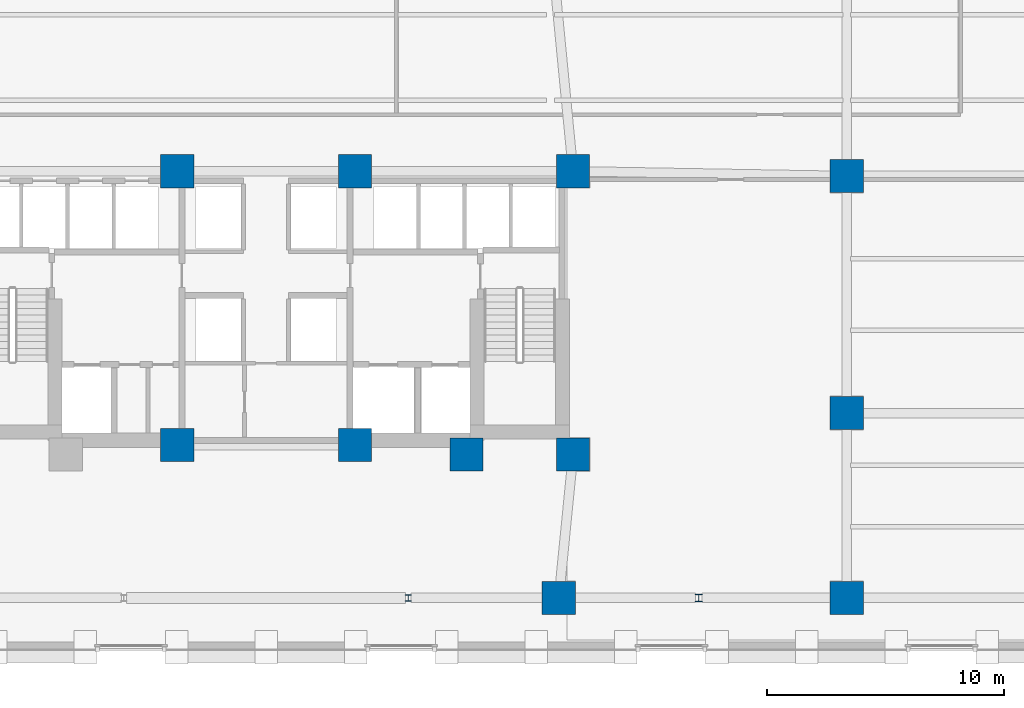
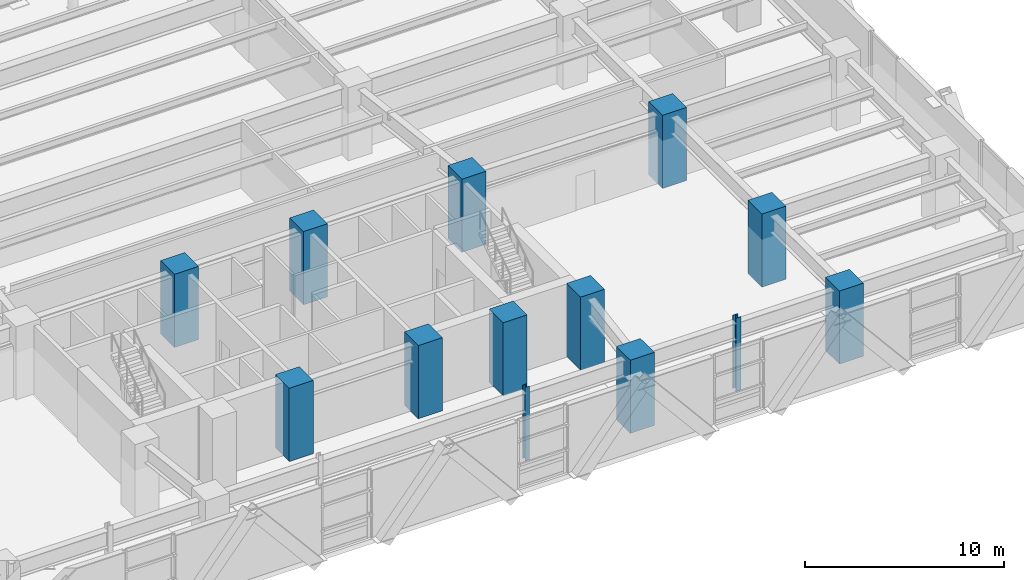
# One storey, part 3 of 26: 13 columns.
"""IFC4 building model written with IfcOpenShell, lengths in metres."""

from ifc_helpers import new_model, si_unit, direction, frame, origin, origin_2d, place, context, subcontext, project, spatial, rectangle, i_section, extrude, material, material_profile, profile_set, type_object, element, save


model = new_model("IFC4")

# Units and contexts
model_context = context("Model", 3, precision=1e-05, world=origin(), true_north=direction((0.0, 1.0)))
body_context = subcontext(model_context, "Body", "Model", "MODEL_VIEW")
ifc_project = project(units=[si_unit("LENGTHUNIT", "METRE"), si_unit("AREAUNIT", "SQUARE_METRE"), si_unit("VOLUMEUNIT", "CUBIC_METRE"), si_unit("PLANEANGLEUNIT", "RADIAN"), si_unit("MASSUNIT", "GRAM", prefix="KILO")], contexts=[model_context])

# Site, building, storey
site_placement = place(None, origin())
site = spatial("IfcSite", under=ifc_project, at=site_placement, CompositionType="ELEMENT")
building_placement = place(site_placement, origin())
building = spatial("IfcBuilding", under=site, at=building_placement, Name="Quenlor Broadcast Tower", CompositionType="ELEMENT")
storey_placement = place(building_placement, frame((0.0, 0.0, 14.0)))
storey = spatial("IfcBuildingStorey", under=building, at=storey_placement, Name="L03", CompositionType="ELEMENT", Elevation=14.0)

# Columns
ifc_material_1 = material(Name="Concrete C65/80", Category="concrete")
ifc_material_profile_1 = material_profile(ifc_material_1, rectangle(XDim=1.39990234375, YDim=1.39990234375, at=origin_2d()))
ifc_profile_set_1 = profile_set([ifc_material_profile_1], Name="Concrete C65/80 RC1400x1400")
column_type_1 = type_object("IfcColumnType", Name="Core Corner Column Lower Concrete C65/80 1400", PredefinedType="COLUMN", material=ifc_profile_set_1)
for number, where, z_axis, x_axis, name in (
    (1, (-3.75, -16.35009765625, 0.0), (0.0, 0.0, 1.0), (1.0, 0.0, 0.0), "L03 Core Column CC3"),
    (2, (3.75, -16.35009765625, 0.0), (0.0, 0.0, 1.0), (1.0, 0.0, 0.0), "L03 Core Column CC4"),
    (3, (8.449951171875, -16.75, 0.0), (0.0, 0.0, 1.0), (1.0, 0.0, 0.0), "L03 Core Column CC5"),
    (4, (12.949951171875, -16.75, 0.0), (0.0, 0.0, 1.0), (1.0, 0.0, 0.0), "L03 Core Column CC6"),
    (5, (-3.75, -4.800048828125, 0.0), (0.0, 0.0, 1.0), (1.0, 0.0, 0.0), "L03 Core Column CC8"),
    (6, (3.75, -4.800048828125, 0.0), (0.0, 0.0, 1.0), (1.0, 0.0, 0.0), "L03 Core Column CC9"),
    (7, (12.949951171875, -4.800048828125, 0.0), (0.0, 0.0, 1.0), (1.0, 0.0, 0.0), "L03 Core Column CC10"),
):
    element("IfcColumn", number, at=place(storey_placement, frame(where, z_axis=z_axis, x_axis=x_axis)), inside=storey, type_object=column_type_1, Name=name, PredefinedType="COLUMN", context=body_context, shape_type="SweptSolid", body=[
        extrude(rectangle(XDim=1.39990234375, YDim=1.39990234375, at=origin_2d()), origin(), (0.0, 0.0, 1.0), 4.5),
    ])
ifc_material_2 = material(Name="Steel S355", Category="steel")
ifc_material_profile_2 = material_profile(ifc_material_2, i_section(OverallWidth=0.30908203125, OverallDepth=0.320556640625, WebThickness=0.013916015625, FlangeThickness=0.021728515625, FilletRadius=0.0166015625, at=origin_2d()))
ifc_profile_set_2 = profile_set([ifc_material_profile_2], Name="Steel S355 310UC137")
column_type_2 = type_object("IfcColumnType", Name="Podium Canopy Post Steel S355 310UC137", PredefinedType="COLUMN", material=ifc_profile_set_2)
column_1_placement = place(storey_placement, frame((18.25, -22.800048828125, 0.0), z_axis=(0.0, 0.0, 1.0), x_axis=(1.0, 0.0, 0.0)))
element("IfcColumn", 8, at=column_1_placement, inside=storey, type_object=column_type_2, Name="L03 Station Steel Column SPE1", PredefinedType="COLUMN", context=body_context, shape_type="SweptSolid", body=[
    extrude(i_section(OverallWidth=0.30908203125, OverallDepth=0.320556640625, WebThickness=0.013916015625, FlangeThickness=0.021728515625, FilletRadius=0.0166015625, at=origin_2d()), origin(), (0.0, 0.0, 1.0), 4.5),
])
ifc_material_3 = material(Name="Steel S355", Category="steel")
ifc_material_profile_3 = material_profile(ifc_material_3, i_section(OverallWidth=0.256103515625, OverallDepth=0.260009765625, WebThickness=0.010498046875, FlangeThickness=0.017333984375, FilletRadius=0.013916015625, at=origin_2d()))
ifc_profile_set_3 = profile_set([ifc_material_profile_3], Name="Steel S355 250UC89.5")
column_type_3 = type_object("IfcColumnType", Name="Podium Gallery Post Steel S355 250UC89.5", PredefinedType="COLUMN", material=ifc_profile_set_3)
column_2_placement = place(storey_placement, frame((6.0, -22.800048828125, 0.0), z_axis=(0.0, 0.0, 1.0), x_axis=(1.0, 0.0, 0.0)))
element("IfcColumn", 9, at=column_2_placement, inside=storey, type_object=column_type_3, Name="L03 Station Steel Column SPE2", PredefinedType="COLUMN", context=body_context, shape_type="SweptSolid", body=[
    extrude(i_section(OverallWidth=0.256103515625, OverallDepth=0.260009765625, WebThickness=0.010498046875, FlangeThickness=0.017333984375, FilletRadius=0.013916015625, at=origin_2d()), origin(), (0.0, 0.0, 1.0), 4.5),
])
ifc_material_4 = material(Name="Concrete C65/80", Category="concrete")
ifc_material_profile_4 = material_profile(ifc_material_4, rectangle(XDim=1.39990234375, YDim=1.39990234375, at=origin_2d()))
ifc_profile_set_4 = profile_set([ifc_material_profile_4], Name="Concrete C65/80 RC1400x1400")
column_type_4 = type_object("IfcColumnType", Name="Podium Mega Column Concrete C65/80 1400", PredefinedType="COLUMN", material=ifc_profile_set_4)
for number, where, z_axis, x_axis, name in (
    (10, (12.35009765625, -22.800048828125, 0.0), (0.0, 0.0, 1.0), (1.0, 0.0, 0.0), "L03 Podium Mega Column PM4"),
    (11, (24.5, -22.800048828125, 0.0), (0.0, 0.0, 1.0), (1.0, 0.0, 0.0), "L03 Podium Mega Column PM5"),
    (12, (24.5, -15.0, 0.0), (0.0, 0.0, 1.0), (1.0, 0.0, 0.0), "L03 Podium Mega Column PM9"),
    (13, (24.5, -5.0, 0.0), (0.0, 0.0, 1.0), (1.0, 0.0, 0.0), "L03 Podium Mega Column PM13"),
):
    element("IfcColumn", number, at=place(storey_placement, frame(where, z_axis=z_axis, x_axis=x_axis)), inside=storey, type_object=column_type_4, Name=name, PredefinedType="COLUMN", context=body_context, shape_type="SweptSolid", body=[
        extrude(rectangle(XDim=1.39990234375, YDim=1.39990234375, at=origin_2d()), origin(), (0.0, 0.0, 1.0), 4.5),
    ])

save(model, "model.ifc")
